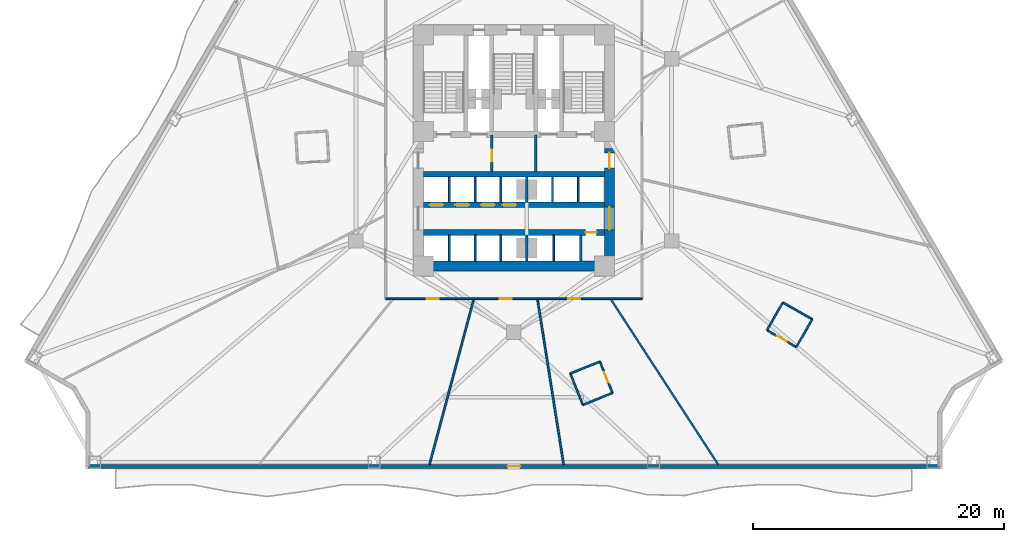
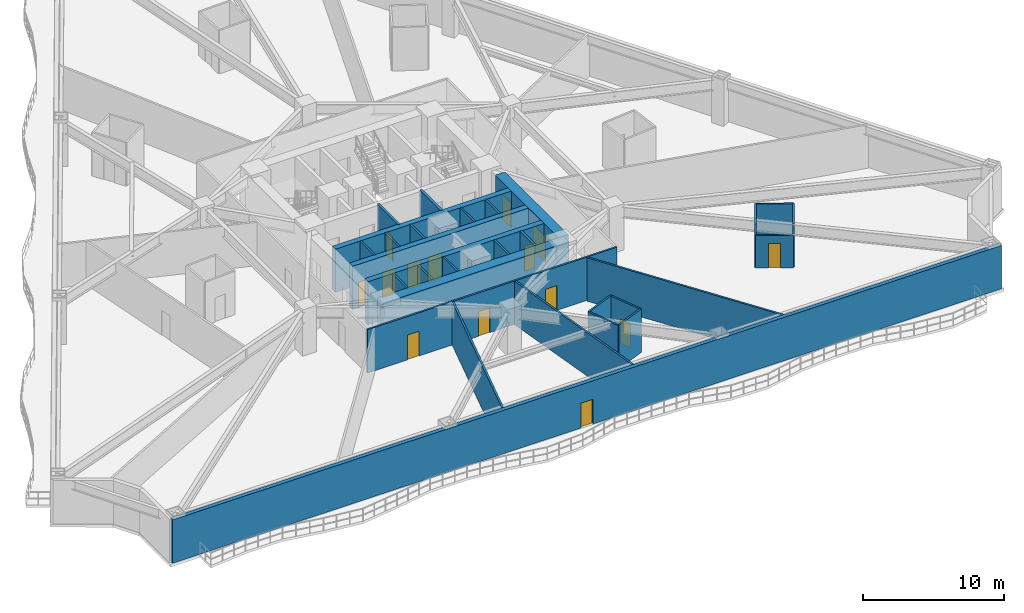
# One storey, part 4 of 11: 32 walls, 14 doors, 14 openings.
"""IFC4 building model written with IfcOpenShell, lengths in metres."""

import ifcopenshell
import ifcopenshell.guid

model = None  # the IFC model being written
_history = None  # IfcOwnerHistory: only IFC2X3 demands one
_inside = {}  # id of a spatial element -> (the spatial element, [elements in it])
_under = {}  # id of a project, library or spatial element -> (it, [spatial elements below it])
_declared = {}  # id of a project -> (the project, [libraries it declares])
_typed = {}  # id of a type object -> (the type object, [elements of that type])
_made_of = {}  # id of a material, layer set ... -> (it, [elements and type objects made of it])


def new_model(schema):
    """Start an empty IFC model of exactly this schema.

    Asked for "IFC4X3", IfcOpenShell would pick the latest addendum, in which some entities
    have other attributes; the version numbers below select the first issue.
    IFC2X3 requires an IfcOwnerHistory on every rooted entity: one is made here for all.
    """
    global model, _history
    if schema == "IFC4X3":
        model = ifcopenshell.file(schema_version=(4, 3, 0, 0))
    else:
        model = ifcopenshell.file(schema=schema)
    _inside.clear()
    _under.clear()
    _declared.clear()
    _typed.clear()
    _made_of.clear()
    _history = None
    if model.schema == "IFC2X3":
        org = make("IfcOrganization", Name="unknown")
        user = make(
            "IfcPersonAndOrganization",
            ThePerson=make("IfcPerson", FamilyName="unknown"),
            TheOrganization=org,
        )
        app = make(
            "IfcApplication",
            ApplicationDeveloper=org,
            Version="unknown",
            ApplicationFullName="unknown",
            ApplicationIdentifier="unknown",
        )
        _history = make(
            "IfcOwnerHistory",
            OwningUser=user,
            OwningApplication=app,
            ChangeAction="ADDED",
            CreationDate=0,
        )
    return model


def make(cls, **values):
    """One entity of the class cls with the attributes given. An attribute that is None is left unset."""
    return model.create_entity(
        cls, **{name: value for name, value in values.items() if value is not None}
    )


def rooted(cls, **values):
    """An entity with a GlobalId (a new one), such as an element, a storey or a relation."""
    return make(cls, GlobalId=ifcopenshell.guid.new(), OwnerHistory=_history, **values)


def si_unit(unit_type, name, prefix=None):
    """IfcSIUnit, for example si_unit("LENGTHUNIT", "METRE", prefix="MILLI")."""
    return make("IfcSIUnit", UnitType=unit_type, Prefix=prefix, Name=name)


def assignment(units):
    """IfcUnitAssignment: the units of a project."""
    return None if units is None else make("IfcUnitAssignment", Units=units)


def point(xyz):
    """IfcCartesianPoint."""
    return None if xyz is None else make("IfcCartesianPoint", Coordinates=xyz)


def direction(xyz):
    """IfcDirection."""
    return None if xyz is None else make("IfcDirection", DirectionRatios=xyz)


def frame(location, z_axis=None, x_axis=None):
    """IfcAxis2Placement3D, a coordinate frame: its origin and axes. An axis left out is left unset."""
    return make(
        "IfcAxis2Placement3D",
        Location=point(location),
        Axis=direction(z_axis),
        RefDirection=direction(x_axis),
    )


def frame_2d(location, x_axis=None):
    """IfcAxis2Placement2D, a coordinate frame in the plane: its origin and x axis."""
    return make(
        "IfcAxis2Placement2D", Location=point(location), RefDirection=direction(x_axis)
    )


def origin():
    """The frame at (0, 0, 0) with its axes left unset."""
    return frame((0.0, 0.0, 0.0))


def place(relative_to, where):
    """IfcLocalPlacement: puts the frame where relative to a parent placement (None: the world)."""
    return make(
        "IfcLocalPlacement", PlacementRelTo=relative_to, RelativePlacement=where
    )


def context(
    kind, dimensions, precision=None, world=None, true_north=None, identifier=None
):
    """IfcGeometricRepresentationContext, for example the 3D "Model" context."""
    return make(
        "IfcGeometricRepresentationContext",
        ContextIdentifier=identifier,
        ContextType=kind,
        CoordinateSpaceDimension=dimensions,
        Precision=precision,
        WorldCoordinateSystem=world,
        TrueNorth=true_north,
    )


def subcontext(parent, identifier, kind, view, scale=None):
    """IfcGeometricRepresentationSubContext, for example "Body" below "Model"."""
    return make(
        "IfcGeometricRepresentationSubContext",
        ContextIdentifier=identifier,
        ContextType=kind,
        ParentContext=parent,
        TargetScale=scale,
        TargetView=view,
    )


def project(units=None, contexts=None):
    """IfcProject with its units and contexts."""
    return rooted(
        "IfcProject",
        Name="project",
        RepresentationContexts=contexts,
        UnitsInContext=assignment(units),
    )


def spatial(cls, under=None, at=None, **own):
    """A site, building, storey or space (cls), placed at a placement, below another one or the project."""
    s = rooted(cls, ObjectPlacement=at, **own)
    if under is not None:
        _under.setdefault(under.id(), (under, []))[1].append(s)
    return s


def profile(cls, at=None, kind="AREA", **sizes):
    """A parametric profile (cls). Its sizes go by their IFC names, for example OverallWidth=200.0."""
    return make(cls, ProfileType=kind, Position=at, **sizes)


def rectangle(**sizes):
    """IfcRectangleProfileDef."""
    return profile("IfcRectangleProfileDef", **sizes)


def extrude(swept, where, along, depth):
    """IfcExtrudedAreaSolid: the profile swept, set in the frame where, extruded along a direction by depth."""
    return make(
        "IfcExtrudedAreaSolid",
        SweptArea=swept,
        Position=where,
        ExtrudedDirection=direction(along),
        Depth=depth,
    )


def shape(context_of_items, identifier, shape_type, items):
    """IfcShapeRepresentation: the items that make up one representation, for example the "Body"."""
    return make(
        "IfcShapeRepresentation",
        ContextOfItems=context_of_items,
        RepresentationIdentifier=identifier,
        RepresentationType=shape_type,
        Items=items,
    )


def material(Name=None, Category=None):
    """IfcMaterial."""
    return make("IfcMaterial", Name=Name, Category=Category)


def layer(
    of_material, thickness, ventilated=None, Name=None, Category=None, Priority=None
):
    """IfcMaterialLayer: one layer of a wall or slab, of a material (None: an air gap)."""
    return make(
        "IfcMaterialLayer",
        Material=of_material,
        LayerThickness=thickness,
        IsVentilated=ventilated,
        Name=Name,
        Category=Category,
        Priority=Priority,
    )


def layer_set(layers, Name=None):
    """IfcMaterialLayerSet."""
    return make("IfcMaterialLayerSet", MaterialLayers=layers, LayerSetName=Name)


def made_of(thing, what):
    """Note that an element or type object is made of a material, layer set ...; save() writes the relation."""
    if what is not None:
        _made_of.setdefault(what.id(), (what, []))[1].append(thing)
    return thing


def type_object(cls, material=None, **own):
    """A type object (cls), such as IfcWallType, which elements share."""
    return made_of(rooted(cls, **own), material)


def element(
    cls,
    number,
    at=None,
    inside=None,
    cuts=None,
    type_object=None,
    material=None,
    context=None,
    identifier="Body",
    shape_type=None,
    held_by="IfcProductDefinitionShape",
    body=None,
    shapes=None,
    **own,
):
    """One element of the class cls, such as IfcWall. Its Tag is "e" and its number.

    at: its placement. inside: the storey or other place that contains it. cuts: it is an
    opening in that element (IfcRelVoidsElement). A single representation is given by context,
    identifier, shape_type and body (its items); several are given by shapes. held_by: the class
    of the entity that holds the representations. save() writes the other relations.
    """
    e = rooted(cls, Tag="e%d" % number, ObjectPlacement=at, **own)
    if body is not None:
        shapes = [shape(context, identifier, shape_type, body)]
    if shapes is not None:
        e.Representation = make(held_by, Representations=shapes)
    if inside is not None:
        _inside.setdefault(inside.id(), (inside, []))[1].append(e)
    if cuts is not None:
        rooted(
            "IfcRelVoidsElement", RelatingBuildingElement=cuts, RelatedOpeningElement=e
        )
    if type_object is not None:
        _typed.setdefault(type_object.id(), (type_object, []))[1].append(e)
    return made_of(e, material)


def fill(opening, filler):
    """IfcRelFillsElement: the door or window that sits in an opening."""
    return rooted(
        "IfcRelFillsElement",
        RelatingOpeningElement=opening,
        RelatedBuildingElement=filler,
    )


def aggregate(whole, parts):
    """IfcRelAggregates: a whole, such as a stair, and the parts it consists of."""
    return rooted("IfcRelAggregates", RelatingObject=whole, RelatedObjects=parts)


def save(model, path):
    """Write the relations noted so far, then the file.

    IfcRelAggregates (storeys below a building ...), IfcRelContainedInSpatialStructure (elements
    in a storey), IfcRelDefinesByType, IfcRelAssociatesMaterial and IfcRelDeclares: one each for
    every whole, place, type object, material and project.
    """
    for whole, parts in _under.values():
        aggregate(whole, parts)
    for where, things in _inside.values():
        rooted(
            "IfcRelContainedInSpatialStructure",
            RelatedElements=things,
            RelatingStructure=where,
        )
    for kind, things in _typed.values():
        rooted("IfcRelDefinesByType", RelatedObjects=things, RelatingType=kind)
    for what, things in _made_of.values():
        rooted("IfcRelAssociatesMaterial", RelatedObjects=things, RelatingMaterial=what)
    for by, libraries in _declared.values():
        rooted("IfcRelDeclares", RelatingContext=by, RelatedDefinitions=libraries)
    model.write(path)


model = new_model("IFC4")

# Units and contexts
model_context = context("Model", 3, precision=1e-05, world=origin(), true_north=direction((0.0, 1.0)))
body_context = subcontext(model_context, "Body", "Model", "MODEL_VIEW")
ifc_project = project(units=[si_unit("LENGTHUNIT", "METRE"), si_unit("AREAUNIT", "SQUARE_METRE"), si_unit("VOLUMEUNIT", "CUBIC_METRE"), si_unit("PLANEANGLEUNIT", "RADIAN"), si_unit("MASSUNIT", "GRAM", prefix="KILO")], contexts=[model_context])

# Site, building, storey
site_placement = place(None, origin())
site = spatial("IfcSite", under=ifc_project, at=site_placement, CompositionType="ELEMENT")
building_placement = place(site_placement, origin())
building = spatial("IfcBuilding", under=site, at=building_placement, Name="Apsidion Concourse Tower", CompositionType="ELEMENT")
storey_placement = place(building_placement, frame((0.0, 0.0, 46.39990234375)))
storey = spatial("IfcBuildingStorey", under=building, at=storey_placement, Name="L09", CompositionType="ELEMENT", Elevation=46.39990234375)

# Wall, opening, door
ifc_material_1 = material(Name="Precast concrete C40/50", Category="concrete")
ifc_layer_1 = layer(ifc_material_1, 0.320068359375)
ifc_layer_set_1 = layer_set([ifc_layer_1], Name="Precast concrete C40/50")
wall_type_1 = type_object("IfcWallType", Name="WL-EXT-320", PredefinedType="STANDARD", material=ifc_layer_set_1)
wall_1_placement = place(storey_placement, frame((33.88818359375, -25.199951171875, 0.0), z_axis=(0.0, 0.0, 1.0), x_axis=(-1.0, 0.0, 0.0)))
wall_1 = element("IfcWall", 1, at=wall_1_placement, inside=storey, type_object=wall_type_1, Name="L09 Precast Stone Facade Wall 05", PredefinedType="STANDARD", context=body_context, shape_type="SweptSolid", body=[
    extrude(rectangle(XDim=67.7763671875, YDim=0.320068359375, at=frame_2d((33.88818359375, 0.0))), origin(), (0.0, 0.0, 1.0), 3.75),
])
opening_1_placement = place(wall_1_placement, frame((33.38818359375, 0.0, 0.0)))
opening_1 = element("IfcOpeningElement", 2, at=opening_1_placement, cuts=wall_1, Name="Opening D-T1L", PredefinedType="OPENING", context=body_context, shape_type="SweptSolid", body=[
    extrude(rectangle(XDim=1.0, YDim=2.14990234375, at=frame_2d((0.5, 1.074951171875))), frame((0.0, 0.169921875, 0.0), z_axis=(0.0, -1.0, 0.0), x_axis=(1.0, 0.0, 0.0)), (0.0, 0.0, 1.0), 0.340087890625),
])
ifc_material_2 = material(Name="Anodised aluminium EN AW-6063 T6", Category="aluminium")
door_type_1 = type_object("IfcDoorType", Name="DR-TER-1022L", OperationType="SINGLE_SWING_LEFT", PredefinedType="DOOR", material=ifc_material_2)
door_1_placement = place(opening_1_placement, origin())
door_1 = element("IfcDoor", 3, at=door_1_placement, inside=storey, type_object=door_type_1, Name="L09 Balcony Access Door 2", OperationType="SINGLE_SWING_LEFT", OverallHeight=2.14990234375, OverallWidth=1.0, PredefinedType="DOOR", context=body_context, shape_type="SweptSolid", body=[
    extrude(rectangle(XDim=1.0, YDim=2.14990234375, at=frame_2d((0.5, 1.074951171875))), frame((0.0, 0.02490234375, 0.0), z_axis=(0.0, -1.0, 0.0), x_axis=(1.0, 0.0, 0.0)), (0.0, 0.0, 1.0), 0.050048828125),
])
fill(opening_1, door_1)

# Walls
ifc_material_3 = material(Name="Gypsum plasterboard partition")
ifc_layer_2 = layer(ifc_material_3, 0.139892578125)
ifc_layer_set_2 = layer_set([ifc_layer_2], Name="Gypsum plasterboard partition")
wall_type_2 = type_object("IfcWallType", Name="WL-INT-PAR-140", PredefinedType="PARTITIONING", material=ifc_layer_set_2)
wall_2_placement = place(storey_placement, frame((4.493408203125, -17.7958984375, 0.0), z_axis=(0.0, 0.0, 1.0), x_axis=(0.372939365788, -0.927855715855, 0.0)))
element("IfcWall", 4, at=wall_2_placement, inside=storey, type_object=wall_type_2, Name="L09 Interior Partition WL-L09-POD-ENS04-S1", PredefinedType="PARTITIONING", context=body_context, shape_type="SweptSolid", body=[
    extrude(rectangle(XDim=2.68994140625, YDim=0.139892578125, at=frame_2d((1.344970703125, 0.0))), origin(), (0.0, 0.0, 1.0), 3.75),
])
wall_3_placement = place(storey_placement, frame((5.49658203125, -20.291748046875, 0.0), z_axis=(0.0, 0.0, 1.0), x_axis=(0.927832366263, 0.372997453228, 0.0)))
element("IfcWall", 5, at=wall_3_placement, inside=storey, type_object=wall_type_2, Name="L09 Interior Partition WL-L09-POD-ENS04-S2", PredefinedType="PARTITIONING", context=body_context, shape_type="SweptSolid", body=[
    extrude(rectangle(XDim=2.540283203125, YDim=0.139892578125, at=frame_2d((1.27001953125, 0.0))), origin(), (0.0, 0.0, 1.0), 3.75),
])

# Wall, opening, door
wall_4_placement = place(storey_placement, frame((7.853515625, -19.34423828125, 0.0), z_axis=(0.0, 0.0, 1.0), x_axis=(-0.373017499945, 0.92782430704, 0.0)))
wall_4 = element("IfcWall", 6, at=wall_4_placement, inside=storey, type_object=wall_type_2, Name="L09 Interior Partition WL-L09-POD-ENS04-S3", PredefinedType="PARTITIONING", context=body_context, shape_type="SweptSolid", body=[
    extrude(rectangle(XDim=2.68994140625, YDim=0.139892578125, at=frame_2d((1.344970703125, 0.0))), origin(), (0.0, 0.0, 1.0), 3.75),
])
opening_2_placement = place(wall_4_placement, frame((0.905029296875, 0.0, 0.0)))
opening_2 = element("IfcOpeningElement", 7, at=opening_2_placement, cuts=wall_4, Name="Opening D-03L", PredefinedType="OPENING", context=body_context, shape_type="SweptSolid", body=[
    extrude(rectangle(XDim=0.8798828125, YDim=2.10009765625, at=frame_2d((0.43994140625, 1.050048828125))), frame((0.0, 0.080078125, 0.0), z_axis=(0.0, -1.0, 0.0), x_axis=(1.0, 0.0, 0.0)), (0.0, 0.0, 1.0), 0.159912109375),
])
door_type_2 = type_object("IfcDoorType", Name="DR-INT-D03L", OperationType="SINGLE_SWING_LEFT", PredefinedType="DOOR", material=ifc_material_2)
door_2_placement = place(opening_2_placement, origin())
door_2 = element("IfcDoor", 8, at=door_2_placement, inside=storey, type_object=door_type_2, Name="L09 Guest En-Suite Bathroom Door ENS04", OperationType="SINGLE_SWING_LEFT", OverallHeight=2.10009765625, OverallWidth=0.8798828125, PredefinedType="DOOR", context=body_context, shape_type="SweptSolid", body=[
    extrude(rectangle(XDim=0.8798828125, YDim=2.10009765625, at=frame_2d((0.43994140625, 1.050048828125))), frame((0.0, 0.02490234375, 0.0), z_axis=(0.0, -1.0, 0.0), x_axis=(1.0, 0.0, 0.0)), (0.0, 0.0, 1.0), 0.050048828125),
])
fill(opening_2, door_2)

# Wall
wall_5_placement = place(storey_placement, frame((6.85009765625, -16.848388671875, 0.0), z_axis=(0.0, 0.0, 1.0), x_axis=(-0.927818993164, -0.373030717132, 0.0)))
element("IfcWall", 9, at=wall_5_placement, inside=storey, type_object=wall_type_2, Name="L09 Interior Partition WL-L09-POD-ENS04-S4", PredefinedType="PARTITIONING", context=body_context, shape_type="SweptSolid", body=[
    extrude(rectangle(XDim=2.5400390625, YDim=0.139892578125, at=frame_2d((1.27001953125, 0.0))), origin(), (0.0, 0.0, 1.0), 3.75),
])

# Wall, opening, door
wall_6_placement = place(storey_placement, frame((20.142578125, -14.349853515625, 0.0), z_axis=(0.0, 0.0, 1.0), x_axis=(0.868639404981, -0.495444834583, 0.0)))
wall_6 = element("IfcWall", 10, at=wall_6_placement, inside=storey, type_object=wall_type_2, Name="L09 Interior Partition WL-L09-POD-ENS05-S1", PredefinedType="PARTITIONING", context=body_context, shape_type="SweptSolid", body=[
    extrude(rectangle(XDim=2.68994140625, YDim=0.139892578125, at=frame_2d((1.344970703125, 0.0))), origin(), (0.0, 0.0, 1.0), 2.798095703125),
])
opening_3_placement = place(wall_6_placement, frame((0.905029296875, 0.0, 0.0)))
opening_3 = element("IfcOpeningElement", 11, at=opening_3_placement, cuts=wall_6, Name="Opening D-03R", PredefinedType="OPENING", context=body_context, shape_type="SweptSolid", body=[
    extrude(rectangle(XDim=0.8798828125, YDim=2.10009765625, at=frame_2d((0.43994140625, 1.050048828125))), frame((0.0, 0.080078125, 0.0), z_axis=(0.0, -1.0, 0.0), x_axis=(1.0, 0.0, 0.0)), (0.0, 0.0, 1.0), 0.159912109375),
])
door_type_3 = type_object("IfcDoorType", Name="DR-INT-D03R", OperationType="SINGLE_SWING_RIGHT", PredefinedType="DOOR", material=ifc_material_2)
door_3_placement = place(opening_3_placement, origin())
door_3 = element("IfcDoor", 12, at=door_3_placement, inside=storey, type_object=door_type_3, Name="L09 Guest En-Suite Bathroom Door ENS05", OperationType="SINGLE_SWING_RIGHT", OverallHeight=2.10009765625, OverallWidth=0.8798828125, PredefinedType="DOOR", context=body_context, shape_type="SweptSolid", body=[
    extrude(rectangle(XDim=0.8798828125, YDim=2.10009765625, at=frame_2d((0.43994140625, 1.050048828125))), frame((0.0, 0.02490234375, 0.0), z_axis=(0.0, -1.0, 0.0), x_axis=(1.0, 0.0, 0.0)), (0.0, 0.0, 1.0), 0.050048828125),
])
fill(opening_3, door_3)

# Walls
wall_7_placement = place(storey_placement, frame((22.479248046875, -15.6826171875, 0.0), z_axis=(0.0, 0.0, 1.0), x_axis=(0.495486676876, 0.868615538105, 0.0)))
element("IfcWall", 13, at=wall_7_placement, inside=storey, type_object=wall_type_2, Name="L09 Interior Partition WL-L09-POD-ENS05-S2", PredefinedType="PARTITIONING", context=body_context, shape_type="SweptSolid", body=[
    extrude(rectangle(XDim=2.5400390625, YDim=0.139892578125, at=frame_2d((1.27001953125, 0.0))), origin(), (0.0, 0.0, 1.0), 3.75),
])
wall_8_placement = place(storey_placement, frame((23.73779296875, -13.476318359375, 0.0), z_axis=(0.0, 0.0, 1.0), x_axis=(-0.868639404981, 0.495444834583, 0.0)))
element("IfcWall", 14, at=wall_8_placement, inside=storey, type_object=wall_type_2, Name="L09 Interior Partition WL-L09-POD-ENS05-S3", PredefinedType="PARTITIONING", context=body_context, shape_type="SweptSolid", body=[
    extrude(rectangle(XDim=2.68994140625, YDim=0.139892578125, at=frame_2d((1.344970703125, 0.0))), origin(), (0.0, 0.0, 1.0), 3.75),
])
wall_9_placement = place(storey_placement, frame((21.401123046875, -12.1435546875, 0.0), z_axis=(0.0, 0.0, 1.0), x_axis=(-0.495486676876, -0.868615538105, 0.0)))
element("IfcWall", 15, at=wall_9_placement, inside=storey, type_object=wall_type_2, Name="L09 Interior Partition WL-L09-POD-ENS05-S4", PredefinedType="PARTITIONING", context=body_context, shape_type="SweptSolid", body=[
    extrude(rectangle(XDim=2.5400390625, YDim=0.139892578125, at=frame_2d((1.27001953125, 0.0))), origin(), (0.0, 0.0, 1.0), 3.75),
])
ifc_layer_3 = layer(ifc_material_3, 0.14990234375)
ifc_layer_set_3 = layer_set([ifc_layer_3], Name="Gypsum plasterboard partition")
wall_type_3 = type_object("IfcWallType", Name="WL-INT-PAR-150", PredefinedType="PARTITIONING", material=ifc_layer_set_3)
for number, where, z_axis, x_axis, name in (
    (16, (-5.125, -4.179931640625, 0.0), (0.0, 0.0, 1.0), (0.0, 1.0, 0.0), "L09 Interior Partition WL-L09-B1DIV-1"),
    (17, (-3.074951171875, -4.179931640625, 0.0), (0.0, 0.0, 1.0), (0.0, 1.0, 0.0), "L09 Interior Partition WL-L09-B1DIV-2"),
    (18, (-1.02490234375, -4.179931640625, 0.0), (0.0, 0.0, 1.0), (0.0, 1.0, 0.0), "L09 Interior Partition WL-L09-B1DIV-3"),
    (19, (3.074951171875, -4.179931640625, 0.0), (0.0, 0.0, 1.0), (0.0, 1.0, 0.0), "L09 Interior Partition WL-L09-B3DIV-1"),
    (20, (5.125, -4.179931640625, 0.0), (0.0, 0.0, 1.0), (0.0, 1.0, 0.0), "L09 Interior Partition WL-L09-B3DIV-2"),
):
    element("IfcWall", number, at=place(storey_placement, frame(where, z_axis=z_axis, x_axis=x_axis)), inside=storey, type_object=wall_type_3, Name=name, PredefinedType="PARTITIONING", context=body_context, shape_type="SweptSolid", body=[
        extrude(rectangle(XDim=2.030029296875, YDim=0.14990234375, at=frame_2d((1.01513671875, 0.0))), origin(), (0.0, 0.0, 1.0), 3.75),
    ])
for number, where, z_axis, x_axis, name in (
    (21, (-5.125, -8.85009765625, 0.0), (0.0, 0.0, 1.0), (0.0, 1.0, 0.0), "L09 Interior Partition WL-L09-B2DIV-1"),
    (22, (-3.074951171875, -8.85009765625, 0.0), (0.0, 0.0, 1.0), (0.0, 1.0, 0.0), "L09 Interior Partition WL-L09-B2DIV-2"),
    (23, (-1.02490234375, -8.85009765625, 0.0), (0.0, 0.0, 1.0), (0.0, 1.0, 0.0), "L09 Interior Partition WL-L09-B2DIV-3"),
    (24, (3.175048828125, -8.85009765625, 0.0), (0.0, 0.0, 1.0), (0.0, 1.0, 0.0), "L09 Interior Partition WL-L09-SHDIV-1"),
):
    element("IfcWall", number, at=place(storey_placement, frame(where, z_axis=z_axis, x_axis=x_axis)), inside=storey, type_object=wall_type_3, Name=name, PredefinedType="PARTITIONING", context=body_context, shape_type="SweptSolid", body=[
        extrude(rectangle(XDim=2.080078125, YDim=0.14990234375, at=frame_2d((1.0400390625, 0.0))), origin(), (0.0, 0.0, 1.0), 3.75),
    ])

# Wall, openings, doors
wall_10_placement = place(storey_placement, frame((10.199951171875, -11.85009765625, 0.0), z_axis=(0.0, 0.0, 1.0), x_axis=(-1.0, 0.0, 0.0)))
wall_10 = element("IfcWall", 25, at=wall_10_placement, inside=storey, type_object=wall_type_3, Name="L09 Interior Partition WL-L09-CORR-03", PredefinedType="PARTITIONING", context=body_context, shape_type="SweptSolid", body=[
    extrude(rectangle(XDim=20.39990234375, YDim=0.14990234375, at=frame_2d((10.199951171875, 0.0))), origin(), (0.0, 0.0, 1.0), 3.75),
])
opening_4_placement = place(wall_10_placement, frame((16.165283203125, 0.0, 0.0)))
opening_4 = element("IfcOpeningElement", 26, at=opening_4_placement, cuts=wall_10, Name="Opening D-01L", PredefinedType="OPENING", context=body_context, shape_type="SweptSolid", body=[
    extrude(rectangle(XDim=0.949951171875, YDim=2.14990234375, at=frame_2d((0.47509765625, 1.074951171875))), frame((0.0, 0.0849609375, 0.0), z_axis=(0.0, -1.0, 0.0), x_axis=(1.0, 0.0, 0.0)), (0.0, 0.0, 1.0), 0.169921875),
])
opening_5_placement = place(wall_10_placement, frame((10.377685546875, 0.0, 0.0)))
opening_5 = element("IfcOpeningElement", 27, at=opening_5_placement, cuts=wall_10, Name="Opening D-01R", PredefinedType="OPENING", context=body_context, shape_type="SweptSolid", body=[
    extrude(rectangle(XDim=0.949951171875, YDim=2.14990234375, at=frame_2d((0.47509765625, 1.074951171875))), frame((0.0, 0.0849609375, 0.0), z_axis=(0.0, -1.0, 0.0), x_axis=(1.0, 0.0, 0.0)), (0.0, 0.0, 1.0), 0.169921875),
])
opening_6_placement = place(wall_10_placement, frame((4.90234375, 0.0, 0.0)))
opening_6 = element("IfcOpeningElement", 28, at=opening_6_placement, cuts=wall_10, Name="Opening D-01L", PredefinedType="OPENING", context=body_context, shape_type="SweptSolid", body=[
    extrude(rectangle(XDim=0.949951171875, YDim=2.14990234375, at=frame_2d((0.47509765625, 1.074951171875))), frame((0.0, 0.0849609375, 0.0), z_axis=(0.0, -1.0, 0.0), x_axis=(1.0, 0.0, 0.0)), (0.0, 0.0, 1.0), 0.169921875),
])
ifc_material_4 = material(Name="Brushed stainless steel 316", Category="steel")
door_type_4 = type_object("IfcDoorType", Name="DR-INT-D01L", OperationType="SINGLE_SWING_LEFT", PredefinedType="DOOR", material=ifc_material_4)
door_4_placement = place(opening_4_placement, origin())
door_4 = element("IfcDoor", 29, at=door_4_placement, inside=storey, type_object=door_type_4, Name="L09 Corridor Entry Door 03", OperationType="SINGLE_SWING_LEFT", OverallHeight=2.14990234375, OverallWidth=0.949951171875, PredefinedType="DOOR", context=body_context, shape_type="SweptSolid", body=[
    extrude(rectangle(XDim=0.949951171875, YDim=2.14990234375, at=frame_2d((0.47509765625, 1.074951171875))), frame((0.0, 0.02490234375, 0.0), z_axis=(0.0, -1.0, 0.0), x_axis=(1.0, 0.0, 0.0)), (0.0, 0.0, 1.0), 0.050048828125),
])
fill(opening_4, door_4)
door_5_placement = place(opening_6_placement, origin())
door_5 = element("IfcDoor", 30, at=door_5_placement, inside=storey, type_object=door_type_4, Name="L09 Corridor Entry Door 05", OperationType="SINGLE_SWING_LEFT", OverallHeight=2.14990234375, OverallWidth=0.949951171875, PredefinedType="DOOR", context=body_context, shape_type="SweptSolid", body=[
    extrude(rectangle(XDim=0.949951171875, YDim=2.14990234375, at=frame_2d((0.47509765625, 1.074951171875))), frame((0.0, 0.02490234375, 0.0), z_axis=(0.0, -1.0, 0.0), x_axis=(1.0, 0.0, 0.0)), (0.0, 0.0, 1.0), 0.050048828125),
])
fill(opening_6, door_5)
door_type_5 = type_object("IfcDoorType", Name="DR-INT-D01R", OperationType="SINGLE_SWING_RIGHT", PredefinedType="DOOR", material=ifc_material_4)
door_6_placement = place(opening_5_placement, origin())
door_6 = element("IfcDoor", 31, at=door_6_placement, inside=storey, type_object=door_type_5, Name="L09 Corridor Entry Door 04", OperationType="SINGLE_SWING_RIGHT", OverallHeight=2.14990234375, OverallWidth=0.949951171875, PredefinedType="DOOR", context=body_context, shape_type="SweptSolid", body=[
    extrude(rectangle(XDim=0.949951171875, YDim=2.14990234375, at=frame_2d((0.47509765625, 1.074951171875))), frame((0.0, 0.02490234375, 0.0), z_axis=(0.0, -1.0, 0.0), x_axis=(1.0, 0.0, 0.0)), (0.0, 0.0, 1.0), 0.050048828125),
])
fill(opening_5, door_6)

# Walls
wall_11_placement = place(storey_placement, frame((-3.203369140625, -11.955078125, 0.0), z_axis=(0.0, 0.0, 1.0), x_axis=(-0.258812444801, -0.96592759481, 0.0)))
element("IfcWall", 32, at=wall_11_placement, inside=storey, type_object=wall_type_3, Name="L09 Interior Partition WL-L09-RAD-07-1", PredefinedType="PARTITIONING", context=body_context, shape_type="SweptSolid", body=[
    extrude(rectangle(XDim=13.53076171875, YDim=0.14990234375, at=frame_2d((6.765380859375, 0.0))), origin(), (0.0, 0.0, 1.0), 3.75),
])
wall_12_placement = place(storey_placement, frame((1.8935546875, -11.955078125, 0.0), z_axis=(0.0, 0.0, 1.0), x_axis=(0.156435317647, -0.987688205555, 0.0)))
element("IfcWall", 33, at=wall_12_placement, inside=storey, type_object=wall_type_3, Name="L09 Interior Partition WL-L09-RAD-08-1", PredefinedType="PARTITIONING", context=body_context, shape_type="SweptSolid", body=[
    extrude(rectangle(XDim=13.232666015625, YDim=0.14990234375, at=frame_2d((6.6162109375, 0.0))), origin(), (0.0, 0.0, 1.0), 3.75),
])
wall_13_placement = place(storey_placement, frame((7.763671875, -11.955078125, 0.0), z_axis=(0.0, 0.0, 1.0), x_axis=(0.544645799626, -0.838666174917, 0.0)))
element("IfcWall", 34, at=wall_13_placement, inside=storey, type_object=wall_type_3, Name="L09 Interior Partition WL-L09-RAD-09-1", PredefinedType="PARTITIONING", context=body_context, shape_type="SweptSolid", body=[
    extrude(rectangle(XDim=15.583984375, YDim=0.14990234375, at=frame_2d((7.7919921875, 0.0))), origin(), (0.0, 0.0, 1.0), 3.75),
])
ifc_layer_4 = layer(ifc_material_3, 0.179931640625)
ifc_layer_set_4 = layer_set([ifc_layer_4], Name="Gypsum plasterboard partition")
wall_type_4 = type_object("IfcWallType", Name="WL-INT-PAR-180", PredefinedType="PARTITIONING", material=ifc_layer_set_4)
wall_14_placement = place(storey_placement, frame((1.02490234375, -4.179931640625, 0.0), z_axis=(0.0, 0.0, 1.0), x_axis=(0.0, 1.0, 0.0)))
element("IfcWall", 35, at=wall_14_placement, inside=storey, type_object=wall_type_4, Name="L09 Interior Partition WL-L09-B1END", PredefinedType="PARTITIONING", context=body_context, shape_type="SweptSolid", body=[
    extrude(rectangle(XDim=2.030029296875, YDim=0.179931640625, at=frame_2d((1.01513671875, 0.0))), origin(), (0.0, 0.0, 1.0), 2.798095703125),
])
wall_15_placement = place(storey_placement, frame((1.02490234375, -8.85009765625, 0.0), z_axis=(0.0, 0.0, 1.0), x_axis=(0.0, 1.0, 0.0)))
element("IfcWall", 36, at=wall_15_placement, inside=storey, type_object=wall_type_4, Name="L09 Interior Partition WL-L09-B2END", PredefinedType="PARTITIONING", context=body_context, shape_type="SweptSolid", body=[
    extrude(rectangle(XDim=2.080078125, YDim=0.179931640625, at=frame_2d((1.0400390625, 0.0))), origin(), (0.0, 0.0, 1.0), 2.798095703125),
])
wall_16_placement = place(storey_placement, frame((5.324951171875, -8.85009765625, 0.0), z_axis=(0.0, 0.0, 1.0), x_axis=(0.0, 1.0, 0.0)))
element("IfcWall", 37, at=wall_16_placement, inside=storey, type_object=wall_type_4, Name="L09 Interior Partition WL-L09-SHDIV-2", PredefinedType="PARTITIONING", context=body_context, shape_type="SweptSolid", body=[
    extrude(rectangle(XDim=2.080078125, YDim=0.179931640625, at=frame_2d((1.0400390625, 0.0))), origin(), (0.0, 0.0, 1.0), 3.75),
])

# Wall, opening, door
ifc_layer_5 = layer(ifc_material_3, 0.199951171875)
ifc_layer_set_5 = layer_set([ifc_layer_5], Name="Gypsum plasterboard partition")
wall_type_5 = type_object("IfcWallType", Name="WL-INT-PAR-200", PredefinedType="PARTITIONING", material=ifc_layer_set_5)
wall_17_placement = place(storey_placement, frame((-1.739990234375, -1.780029296875, 0.0), z_axis=(0.0, 0.0, 1.0), x_axis=(0.0, 1.0, 0.0)))
wall_17 = element("IfcWall", 38, at=wall_17_placement, inside=storey, type_object=wall_type_5, Name="L09 Interior Partition WL-L09-FF1-E", PredefinedType="PARTITIONING", context=body_context, shape_type="SweptSolid", body=[
    extrude(rectangle(XDim=2.97998046875, YDim=0.199951171875, at=frame_2d((1.489990234375, 0.0))), origin(), (0.0, 0.0, 1.0), 3.75),
])
opening_7_placement = place(wall_17_placement, frame((0.889892578125, 0.0, 0.0)))
opening_7 = element("IfcOpeningElement", 39, at=opening_7_placement, cuts=wall_17, Name="Opening D-05R", PredefinedType="OPENING", context=body_context, shape_type="SweptSolid", body=[
    extrude(rectangle(XDim=0.8798828125, YDim=2.14990234375, at=frame_2d((0.43994140625, 1.074951171875))), frame((0.0, 0.10986328125, 0.0), z_axis=(0.0, -1.0, 0.0), x_axis=(1.0, 0.0, 0.0)), (0.0, 0.0, 1.0), 0.219970703125),
])
door_type_6 = type_object("IfcDoorType", Name="DR-INT-D05R", OperationType="SINGLE_SWING_RIGHT", PredefinedType="DOOR", material=ifc_material_4)
door_7_placement = place(opening_7_placement, origin())
door_7 = element("IfcDoor", 40, at=door_7_placement, inside=storey, type_object=door_type_6, Name="L09 Core BMS Door", OperationType="SINGLE_SWING_RIGHT", OverallHeight=2.14990234375, OverallWidth=0.8798828125, PredefinedType="DOOR", context=body_context, shape_type="SweptSolid", body=[
    extrude(rectangle(XDim=0.8798828125, YDim=2.14990234375, at=frame_2d((0.43994140625, 1.074951171875))), frame((0.0, 0.02490234375, 0.0), z_axis=(0.0, -1.0, 0.0), x_axis=(1.0, 0.0, 0.0)), (0.0, 0.0, 1.0), 0.050048828125),
])
fill(opening_7, door_7)

# Walls
wall_18_placement = place(storey_placement, frame((1.739990234375, -1.780029296875, 0.0), z_axis=(0.0, 0.0, 1.0), x_axis=(0.0, 1.0, 0.0)))
element("IfcWall", 41, at=wall_18_placement, inside=storey, type_object=wall_type_5, Name="L09 Interior Partition WL-L09-FF2-W", PredefinedType="PARTITIONING", context=body_context, shape_type="SweptSolid", body=[
    extrude(rectangle(XDim=2.97998046875, YDim=0.199951171875, at=frame_2d((1.489990234375, 0.0))), origin(), (0.0, 0.0, 1.0), 3.75),
])
ifc_material_5 = material(Name="Concrete C60/75", Category="concrete")
ifc_layer_6 = layer(ifc_material_5, 0.449951171875)
ifc_layer_set_6 = layer_set([ifc_layer_6], Name="Concrete C60/75")
wall_type_6 = type_object("IfcWallType", Name="WL-SH-450", PredefinedType="SHEAR", material=ifc_layer_set_6)
wall_19_placement = place(storey_placement, frame((-7.199951171875, -1.949951171875, 0.0), z_axis=(0.0, 0.0, 1.0), x_axis=(1.0, 0.0, 0.0)))
element("IfcWall", 42, at=wall_19_placement, inside=storey, type_object=wall_type_6, Name="L09 Central Core Shear Wall M2", PredefinedType="SHEAR", context=body_context, shape_type="SweptSolid", body=[
    extrude(rectangle(XDim=14.39990234375, YDim=0.449951171875, at=frame_2d((7.199951171875, 0.0))), origin(), (0.0, 0.0, 1.0), 3.75),
])

# Wall, openings, doors
wall_20_placement = place(storey_placement, frame((-7.199951171875, -4.3798828125, 0.0), z_axis=(0.0, 0.0, 1.0), x_axis=(1.0, 0.0, 0.0)))
wall_20 = element("IfcWall", 43, at=wall_20_placement, inside=storey, type_object=wall_type_6, Name="L09 Central Core Shear Wall LA", PredefinedType="SHEAR", context=body_context, shape_type="SweptSolid", body=[
    extrude(rectangle(XDim=14.39990234375, YDim=0.449951171875, at=frame_2d((7.199951171875, 0.0))), origin(), (0.0, 0.0, 1.0), 3.75),
])
opening_8_placement = place(wall_20_placement, frame((0.5, 0.0, 0.0)))
opening_8 = element("IfcOpeningElement", 44, at=opening_8_placement, cuts=wall_20, Name="Opening LD-P1", PredefinedType="OPENING", context=body_context, shape_type="SweptSolid", body=[
    extrude(rectangle(XDim=1.10009765625, YDim=2.199951171875, at=frame_2d((0.550048828125, 1.10009765625))), frame((0.0, 0.23486328125, 0.0), z_axis=(0.0, -1.0, 0.0), x_axis=(1.0, 0.0, 0.0)), (0.0, 0.0, 1.0), 0.469970703125),
])
opening_9_placement = place(wall_20_placement, frame((2.550048828125, 0.0, 0.0)))
opening_9 = element("IfcOpeningElement", 45, at=opening_9_placement, cuts=wall_20, Name="Opening LD-P1", PredefinedType="OPENING", context=body_context, shape_type="SweptSolid", body=[
    extrude(rectangle(XDim=1.10009765625, YDim=2.199951171875, at=frame_2d((0.550048828125, 1.10009765625))), frame((0.0, 0.23486328125, 0.0), z_axis=(0.0, -1.0, 0.0), x_axis=(1.0, 0.0, 0.0)), (0.0, 0.0, 1.0), 0.469970703125),
])
opening_10_placement = place(wall_20_placement, frame((4.60009765625, 0.0, 0.0)))
opening_10 = element("IfcOpeningElement", 46, at=opening_10_placement, cuts=wall_20, Name="Opening LD-P1", PredefinedType="OPENING", context=body_context, shape_type="SweptSolid", body=[
    extrude(rectangle(XDim=1.10009765625, YDim=2.199951171875, at=frame_2d((0.550048828125, 1.10009765625))), frame((0.0, 0.23486328125, 0.0), z_axis=(0.0, -1.0, 0.0), x_axis=(1.0, 0.0, 0.0)), (0.0, 0.0, 1.0), 0.469970703125),
])
opening_11_placement = place(wall_20_placement, frame((6.300048828125, 0.0, 0.0)))
opening_11 = element("IfcOpeningElement", 47, at=opening_11_placement, cuts=wall_20, Name="Opening LD-P1", PredefinedType="OPENING", context=body_context, shape_type="SweptSolid", body=[
    extrude(rectangle(XDim=1.10009765625, YDim=2.199951171875, at=frame_2d((0.550048828125, 1.10009765625))), frame((0.0, 0.23486328125, 0.0), z_axis=(0.0, -1.0, 0.0), x_axis=(1.0, 0.0, 0.0)), (0.0, 0.0, 1.0), 0.469970703125),
])
door_type_7 = type_object("IfcDoorType", Name="DR-LD-PASS", OperationType="DOUBLE_DOOR_SLIDING", PredefinedType="DOOR", material=ifc_material_4)
door_8_placement = place(opening_8_placement, origin())
door_8 = element("IfcDoor", 48, at=door_8_placement, inside=storey, type_object=door_type_7, Name="L09 Lift Landing Door P1", OperationType="DOUBLE_DOOR_SLIDING", OverallHeight=2.199951171875, OverallWidth=1.10009765625, PredefinedType="DOOR", context=body_context, shape_type="SweptSolid", body=[
    extrude(rectangle(XDim=1.10009765625, YDim=2.199951171875, at=frame_2d((0.550048828125, 1.10009765625))), frame((0.0, 0.02490234375, 0.0), z_axis=(0.0, -1.0, 0.0), x_axis=(1.0, 0.0, 0.0)), (0.0, 0.0, 1.0), 0.050048828125),
])
fill(opening_8, door_8)
door_9_placement = place(opening_9_placement, origin())
door_9 = element("IfcDoor", 49, at=door_9_placement, inside=storey, type_object=door_type_7, Name="L09 Lift Landing Door P2", OperationType="DOUBLE_DOOR_SLIDING", OverallHeight=2.199951171875, OverallWidth=1.10009765625, PredefinedType="DOOR", context=body_context, shape_type="SweptSolid", body=[
    extrude(rectangle(XDim=1.10009765625, YDim=2.199951171875, at=frame_2d((0.550048828125, 1.10009765625))), frame((0.0, 0.02490234375, 0.0), z_axis=(0.0, -1.0, 0.0), x_axis=(1.0, 0.0, 0.0)), (0.0, 0.0, 1.0), 0.050048828125),
])
fill(opening_9, door_9)
door_10_placement = place(opening_10_placement, origin())
door_10 = element("IfcDoor", 50, at=door_10_placement, inside=storey, type_object=door_type_7, Name="L09 Lift Landing Door P3", OperationType="DOUBLE_DOOR_SLIDING", OverallHeight=2.199951171875, OverallWidth=1.10009765625, PredefinedType="DOOR", context=body_context, shape_type="SweptSolid", body=[
    extrude(rectangle(XDim=1.10009765625, YDim=2.199951171875, at=frame_2d((0.550048828125, 1.10009765625))), frame((0.0, 0.02490234375, 0.0), z_axis=(0.0, -1.0, 0.0), x_axis=(1.0, 0.0, 0.0)), (0.0, 0.0, 1.0), 0.050048828125),
])
fill(opening_10, door_10)
door_11_placement = place(opening_11_placement, origin())
door_11 = element("IfcDoor", 51, at=door_11_placement, inside=storey, type_object=door_type_7, Name="L09 Lift Landing Door P4", OperationType="DOUBLE_DOOR_SLIDING", OverallHeight=2.199951171875, OverallWidth=1.10009765625, PredefinedType="DOOR", context=body_context, shape_type="SweptSolid", body=[
    extrude(rectangle(XDim=1.10009765625, YDim=2.199951171875, at=frame_2d((0.550048828125, 1.10009765625))), frame((0.0, 0.02490234375, 0.0), z_axis=(0.0, -1.0, 0.0), x_axis=(1.0, 0.0, 0.0)), (0.0, 0.0, 1.0), 0.050048828125),
])
fill(opening_11, door_11)

# Wall, opening, door
wall_21_placement = place(storey_placement, frame((-7.199951171875, -6.570068359375, 0.0), z_axis=(0.0, 0.0, 1.0), x_axis=(1.0, 0.0, 0.0)))
wall_21 = element("IfcWall", 52, at=wall_21_placement, inside=storey, type_object=wall_type_6, Name="L09 Central Core Shear Wall LB", PredefinedType="SHEAR", context=body_context, shape_type="SweptSolid", body=[
    extrude(rectangle(XDim=14.39990234375, YDim=0.449951171875, at=frame_2d((7.199951171875, 0.0))), origin(), (0.0, 0.0, 1.0), 3.75),
])
opening_12_placement = place(wall_21_placement, frame((12.909912109375, 0.0, 0.0)))
opening_12 = element("IfcOpeningElement", 53, at=opening_12_placement, cuts=wall_21, Name="Opening D-05L", PredefinedType="OPENING", context=body_context, shape_type="SweptSolid", body=[
    extrude(rectangle(XDim=0.8798828125, YDim=2.14990234375, at=frame_2d((0.43994140625, 1.074951171875))), frame((0.0, 0.23486328125, 0.0), z_axis=(0.0, -1.0, 0.0), x_axis=(1.0, 0.0, 0.0)), (0.0, 0.0, 1.0), 0.469970703125),
])
door_type_8 = type_object("IfcDoorType", Name="DR-INT-D05L", OperationType="SINGLE_SWING_LEFT", PredefinedType="DOOR", material=ifc_material_4)
door_12_placement = place(opening_12_placement, origin())
door_12 = element("IfcDoor", 54, at=door_12_placement, inside=storey, type_object=door_type_8, Name="L09 Cleaners Store Door", OperationType="SINGLE_SWING_LEFT", OverallHeight=2.14990234375, OverallWidth=0.8798828125, PredefinedType="DOOR", context=body_context, shape_type="SweptSolid", body=[
    extrude(rectangle(XDim=0.8798828125, YDim=2.14990234375, at=frame_2d((0.43994140625, 1.074951171875))), frame((0.0, 0.02490234375, 0.0), z_axis=(0.0, -1.0, 0.0), x_axis=(1.0, 0.0, 0.0)), (0.0, 0.0, 1.0), 0.050048828125),
])
fill(opening_12, door_12)

# Wall, openings, doors
ifc_layer_7 = layer(ifc_material_5, 0.800048828125)
ifc_layer_set_7 = layer_set([ifc_layer_7], Name="Concrete C60/75")
wall_type_7 = type_object("IfcWallType", Name="WL-SH-800", PredefinedType="SHEAR", material=ifc_layer_set_7)
wall_22_placement = place(storey_placement, frame((7.60009765625, -8.85009765625, 0.0), z_axis=(0.0, 0.0, 1.0), x_axis=(0.0, 1.0, 0.0)))
wall_22 = element("IfcWall", 55, at=wall_22_placement, inside=storey, type_object=wall_type_7, Name="L09 Central Core Shear Wall ES", PredefinedType="SHEAR", context=body_context, shape_type="SweptSolid", body=[
    extrude(rectangle(XDim=8.9501953125, YDim=0.800048828125, at=frame_2d((4.47509765625, 0.0))), origin(), (0.0, 0.0, 1.0), 3.75),
])
opening_13_placement = place(wall_22_placement, frame((2.489990234375, 0.0, 0.0)))
opening_13 = element("IfcOpeningElement", 56, at=opening_13_placement, cuts=wall_22, Name="Opening D-06D", PredefinedType="OPENING", context=body_context, shape_type="SweptSolid", body=[
    extrude(rectangle(XDim=1.800048828125, YDim=2.199951171875, at=frame_2d((0.89990234375, 1.10009765625))), frame((0.0, 0.41015625, 0.0), z_axis=(0.0, -1.0, 0.0), x_axis=(1.0, 0.0, 0.0)), (0.0, 0.0, 1.0), 0.820068359375),
])
opening_14_placement = place(wall_22_placement, frame((7.39990234375, 0.0, 0.0)))
opening_14 = element("IfcOpeningElement", 57, at=opening_14_placement, cuts=wall_22, Name="Opening D-FFR", PredefinedType="OPENING", context=body_context, shape_type="SweptSolid", body=[
    extrude(rectangle(XDim=1.199951171875, YDim=2.14990234375, at=frame_2d((0.60009765625, 1.074951171875))), frame((0.0, 0.41015625, 0.0), z_axis=(0.0, -1.0, 0.0), x_axis=(1.0, 0.0, 0.0)), (0.0, 0.0, 1.0), 0.820068359375),
])
door_type_9 = type_object("IfcDoorType", Name="DR-INT-D06D", OperationType="DOUBLE_DOOR_SINGLE_SWING", PredefinedType="DOOR", material=ifc_material_4)
door_13_placement = place(opening_13_placement, origin())
door_13 = element("IfcDoor", 58, at=door_13_placement, inside=storey, type_object=door_type_9, Name="L09 Passenger Lift Lobby ES Portal Door", OperationType="DOUBLE_DOOR_SINGLE_SWING", OverallHeight=2.199951171875, OverallWidth=1.800048828125, PredefinedType="DOOR", context=body_context, shape_type="SweptSolid", body=[
    extrude(rectangle(XDim=1.800048828125, YDim=2.199951171875, at=frame_2d((0.89990234375, 1.10009765625))), frame((0.0, 0.02490234375, 0.0), z_axis=(0.0, -1.0, 0.0), x_axis=(1.0, 0.0, 0.0)), (0.0, 0.0, 1.0), 0.050048828125),
])
fill(opening_13, door_13)
door_type_10 = type_object("IfcDoorType", Name="DR-INT-FFR", OperationType="SINGLE_SWING_RIGHT", PredefinedType="DOOR", material=ifc_material_4)
door_14_placement = place(opening_14_placement, origin())
door_14 = element("IfcDoor", 59, at=door_14_placement, inside=storey, type_object=door_type_10, Name="L09 Firefighting Lift Lobby FF2 Door", OperationType="SINGLE_SWING_RIGHT", OverallHeight=2.14990234375, OverallWidth=1.199951171875, PredefinedType="DOOR", context=body_context, shape_type="SweptSolid", body=[
    extrude(rectangle(XDim=1.199951171875, YDim=2.14990234375, at=frame_2d((0.60009765625, 1.074951171875))), frame((0.0, 0.02490234375, 0.0), z_axis=(0.0, -1.0, 0.0), x_axis=(1.0, 0.0, 0.0)), (0.0, 0.0, 1.0), 0.050048828125),
])
fill(opening_14, door_14)

# Wall
wall_23_placement = place(storey_placement, frame((-7.60009765625, -9.25, 0.0), z_axis=(0.0, 0.0, 1.0), x_axis=(1.0, 0.0, 0.0)))
element("IfcWall", 60, at=wall_23_placement, inside=storey, type_object=wall_type_7, Name="L09 Central Core Shear Wall S", PredefinedType="SHEAR", context=body_context, shape_type="SweptSolid", body=[
    extrude(rectangle(XDim=15.2001953125, YDim=0.800048828125, at=frame_2d((7.60009765625, 0.0))), origin(), (0.0, 0.0, 1.0), 3.75),
])

save(model, "model.ifc")
